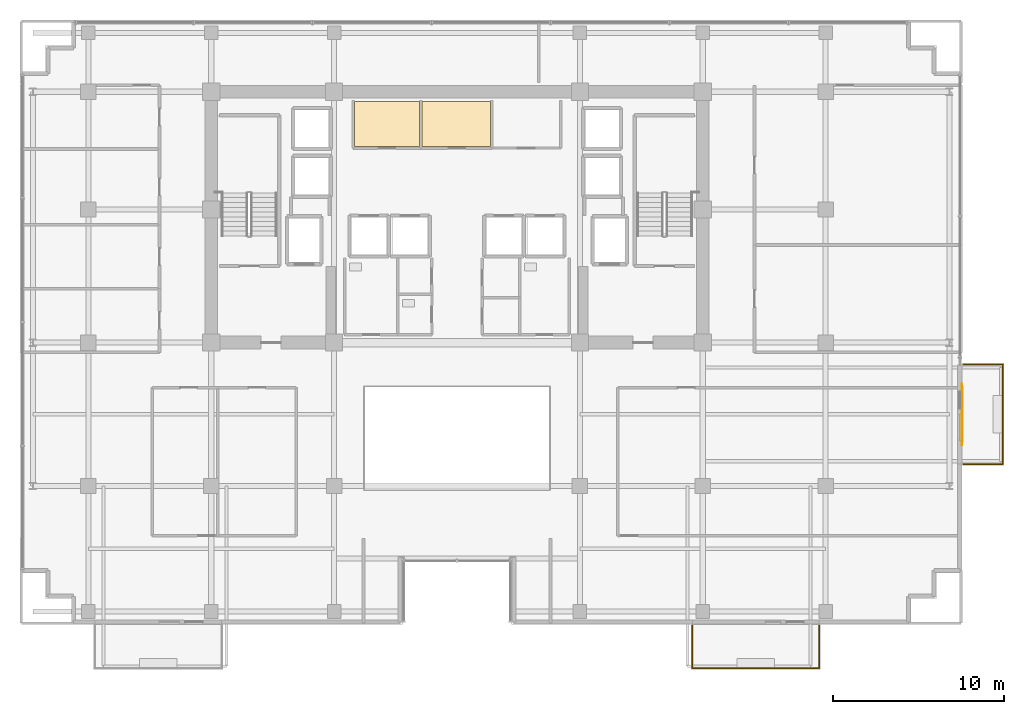
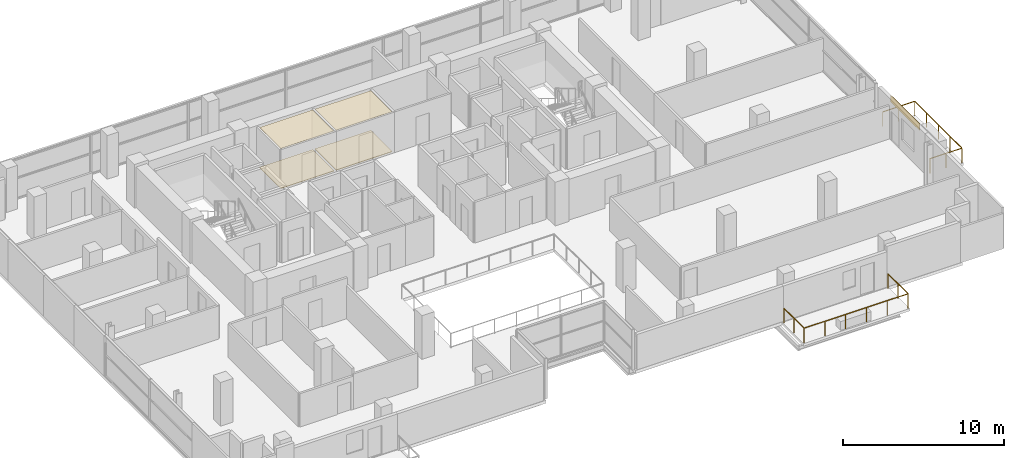
# One storey, part 22 of 24: 5 coverings, 2 railings, 1 shading device.
"""IFC4 building model written with IfcOpenShell, lengths in metres."""

from ifc_helpers import new_model, si_unit, direction, frame, origin, origin_2d, place, context, subcontext, project, spatial, polyline, rectangle, outline, extrude, source, transform, mapped, material, layer, layer_set, type_object, element, save


model = new_model("IFC4")

# Units and contexts
model_context = context("Model", 3, precision=1e-05, world=origin(), true_north=direction((0.0, 1.0)))
body_context = subcontext(model_context, "Body", "Model", "MODEL_VIEW")
ifc_project = project(units=[si_unit("LENGTHUNIT", "METRE"), si_unit("AREAUNIT", "SQUARE_METRE"), si_unit("VOLUMEUNIT", "CUBIC_METRE"), si_unit("PLANEANGLEUNIT", "RADIAN"), si_unit("MASSUNIT", "GRAM", prefix="KILO")], contexts=[model_context])

# Site, building, storey
site_placement = place(None, origin())
site = spatial("IfcSite", under=ifc_project, at=site_placement, CompositionType="ELEMENT")
building_placement = place(site_placement, origin())
building = spatial("IfcBuilding", under=site, at=building_placement, Name="Zarnakvel Exchange Tower", CompositionType="ELEMENT")
storey_placement = place(building_placement, frame((0.0, 0.0, 119.800048828125)))
storey = spatial("IfcBuildingStorey", under=building, at=storey_placement, Name="L33", CompositionType="ELEMENT", Elevation=119.800048828125)

# Coverings
ifc_material_1 = material(Name="Perforated Bronze Acoustic Metal Ceiling", Category="aluminium")
ifc_layer_1 = layer(ifc_material_1, 0.02001953125)
ifc_layer_set_1 = layer_set([ifc_layer_1], Name="Perforated Bronze Acoustic Metal Ceiling")
covering_type_1 = type_object("IfcCoveringType", Name="CLG-01", PredefinedType="CEILING", material=ifc_layer_set_1)
covering_1_placement = place(storey_placement, frame((0.0, 0.0, 3.014892578125)))
element("IfcCovering", 1, at=covering_1_placement, inside=storey, type_object=covering_type_1, Name="L33 Suspended Acoustic Ceiling (Clearing Records Office)", PredefinedType="CEILING", context=body_context, shape_type="SweptSolid", body=[
    extrude(outline(polyline([(-6.0, 12.919921875), (-2.199951171875, 12.919921875), (-2.199951171875, 10.280029296875), (-6.0, 10.280029296875), (-6.0, 12.919921875)])), origin(), (0.0, 0.0, 1.0), 0.02001953125),
])
covering_2_placement = place(storey_placement, frame((0.0, 0.0, 3.014892578125)))
element("IfcCovering", 2, at=covering_2_placement, inside=storey, type_object=covering_type_1, Name="L33 Suspended Acoustic Ceiling (Brokerage Filing Room)", PredefinedType="CEILING", context=body_context, shape_type="SweptSolid", body=[
    extrude(outline(polyline([(-2.0400390625, 12.919921875), (1.9599609375, 12.919921875), (1.9599609375, 10.280029296875), (-2.0400390625, 10.280029296875), (-2.0400390625, 12.919921875)])), origin(), (0.0, 0.0, 1.0), 0.02001953125),
])
ifc_material_2 = material(Name="Heavy-Duty Raised Access Floor Panel", Category="steel")
ifc_layer_2 = layer(ifc_material_2, 0.034912109375)
ifc_layer_set_2 = layer_set([ifc_layer_2], Name="Heavy-Duty Raised Access Floor Panel")
covering_type_2 = type_object("IfcCoveringType", Name="FLR-02", PredefinedType="FLOORING", material=ifc_layer_set_2)
covering_3_placement = place(storey_placement, origin())
element("IfcCovering", 3, at=covering_3_placement, inside=storey, type_object=covering_type_2, Name="L33 Floor Finish (Clearing Records Office)", PredefinedType="FLOORING", context=body_context, shape_type="SweptSolid", body=[
    extrude(outline(polyline([(-6.0, 12.919921875), (-2.199951171875, 12.919921875), (-2.199951171875, 10.280029296875), (-6.0, 10.280029296875), (-6.0, 12.919921875)])), origin(), (0.0, 0.0, 1.0), 0.034912109375),
])
covering_4_placement = place(storey_placement, origin())
element("IfcCovering", 4, at=covering_4_placement, inside=storey, type_object=covering_type_2, Name="L33 Floor Finish (Brokerage Filing Room)", PredefinedType="FLOORING", context=body_context, shape_type="SweptSolid", body=[
    extrude(outline(polyline([(-2.0400390625, 12.919921875), (1.9599609375, 12.919921875), (1.9599609375, 10.280029296875), (-2.0400390625, 10.280029296875), (-2.0400390625, 12.919921875)])), origin(), (0.0, 0.0, 1.0), 0.034912109375),
])

# Railings
ifc_material_3 = material(Name="Architectural Bronze Anodised Aluminium", Category="aluminium")
railing_type = type_object("IfcRailingType", Name="GR-02", PredefinedType="GUARDRAIL", material=ifc_material_3)
railing_1_placement = place(storey_placement, frame((13.780029296875, -17.780029296875, -0.03515625)))
element("IfcRailing", 5, at=railing_1_placement, inside=storey, type_object=railing_type, Name="L33 Balcony Guardrail BAL-L33-SE", PredefinedType="GUARDRAIL", context=body_context, shape_type="SweptSolid", body=[
    extrude(rectangle(XDim=0.048095703125, YDim=0.048095703125, at=origin_2d()), frame((0.0, 0.0, 1.09619140625), z_axis=(0.0, -1.0, 0.0), x_axis=(1.0, 0.0, 0.0)), (0.0, 0.0, 1.0), 2.489990234375),
    extrude(rectangle(XDim=0.048095703125, YDim=0.048095703125, at=origin_2d()), frame((0.0, -2.489990234375, 1.09619140625), z_axis=(1.0, 0.0, 0.0), x_axis=(0.0, 1.0, 0.0)), (0.0, 0.0, 1.0), 7.43994140625),
    extrude(rectangle(XDim=0.048095703125, YDim=0.048095703125, at=origin_2d()), frame((7.43994140625, -2.489990234375, 1.09619140625), z_axis=(0.0, 1.0, 0.0), x_axis=(-1.0, 0.0, 0.0)), (0.0, 0.0, 1.0), 2.489990234375),
    extrude(rectangle(XDim=0.0419921875, YDim=0.0419921875, at=origin_2d()), origin(), (0.0, 0.0, 1.0), 1.072021484375),
    extrude(rectangle(XDim=0.0419921875, YDim=0.0419921875, at=origin_2d()), frame((0.0, -1.2451171875, 0.0)), (0.0, 0.0, 1.0), 1.072021484375),
    extrude(rectangle(XDim=0.0419921875, YDim=0.0419921875, at=origin_2d()), frame((0.0, -2.489990234375, 0.0)), (0.0, 0.0, 1.0), 1.072021484375),
    extrude(rectangle(XDim=0.0419921875, YDim=0.0419921875, at=origin_2d()), frame((1.488037109375, -2.489990234375, 0.0)), (0.0, 0.0, 1.0), 1.072021484375),
    extrude(rectangle(XDim=0.0419921875, YDim=0.0419921875, at=origin_2d()), frame((2.97607421875, -2.489990234375, 0.0)), (0.0, 0.0, 1.0), 1.072021484375),
    extrude(rectangle(XDim=0.0419921875, YDim=0.0419921875, at=origin_2d()), frame((4.4638671875, -2.489990234375, 0.0)), (0.0, 0.0, 1.0), 1.072021484375),
    extrude(rectangle(XDim=0.0419921875, YDim=0.0419921875, at=origin_2d()), frame((5.951904296875, -2.489990234375, 0.0)), (0.0, 0.0, 1.0), 1.072021484375),
    extrude(rectangle(XDim=0.0419921875, YDim=0.0419921875, at=origin_2d()), frame((7.43994140625, -2.489990234375, 0.0)), (0.0, 0.0, 1.0), 1.072021484375),
    extrude(rectangle(XDim=0.0419921875, YDim=0.0419921875, at=origin_2d()), frame((7.43994140625, -1.2451171875, 0.0)), (0.0, 0.0, 1.0), 1.072021484375),
    extrude(rectangle(XDim=0.0419921875, YDim=0.0419921875, at=origin_2d()), frame((7.43994140625, 0.0, 0.0)), (0.0, 0.0, 1.0), 1.072021484375),
])
railing_2_placement = place(storey_placement, frame((29.679931640625, -8.320068359375, -0.03515625)))
element("IfcRailing", 6, at=railing_2_placement, inside=storey, type_object=railing_type, Name="L33 Balcony Guardrail BAL-L33-E", PredefinedType="GUARDRAIL", context=body_context, shape_type="SweptSolid", body=[
    extrude(rectangle(XDim=0.048095703125, YDim=0.048095703125, at=origin_2d()), frame((0.0, 0.0, 1.09619140625), z_axis=(1.0, 0.0, 0.0), x_axis=(0.0, 1.0, 0.0)), (0.0, 0.0, 1.0), 2.2900390625),
    extrude(rectangle(XDim=0.048095703125, YDim=0.048095703125, at=origin_2d()), frame((2.2900390625, 0.0, 1.09619140625), z_axis=(0.0, 1.0, 0.0), x_axis=(-1.0, 0.0, 0.0)), (0.0, 0.0, 1.0), 5.840087890625),
    extrude(rectangle(XDim=0.048095703125, YDim=0.048095703125, at=origin_2d()), frame((2.2900390625, 5.840087890625, 1.09619140625), z_axis=(-1.0, 0.0, 0.0), x_axis=(0.0, -1.0, 0.0)), (0.0, 0.0, 1.0), 2.2900390625),
    extrude(rectangle(XDim=0.0419921875, YDim=0.0419921875, at=origin_2d()), origin(), (0.0, 0.0, 1.0), 1.072021484375),
    extrude(rectangle(XDim=0.0419921875, YDim=0.0419921875, at=origin_2d()), frame((1.14501953125, 0.0, 0.0)), (0.0, 0.0, 1.0), 1.072021484375),
    extrude(rectangle(XDim=0.0419921875, YDim=0.0419921875, at=origin_2d()), frame((2.2900390625, 0.0, 0.0)), (0.0, 0.0, 1.0), 1.072021484375),
    extrude(rectangle(XDim=0.0419921875, YDim=0.0419921875, at=origin_2d()), frame((2.2900390625, 1.4599609375, 0.0)), (0.0, 0.0, 1.0), 1.072021484375),
    extrude(rectangle(XDim=0.0419921875, YDim=0.0419921875, at=origin_2d()), frame((2.2900390625, 2.919921875, 0.0)), (0.0, 0.0, 1.0), 1.072021484375),
    extrude(rectangle(XDim=0.0419921875, YDim=0.0419921875, at=origin_2d()), frame((2.2900390625, 4.380126953125, 0.0)), (0.0, 0.0, 1.0), 1.072021484375),
    extrude(rectangle(XDim=0.0419921875, YDim=0.0419921875, at=origin_2d()), frame((2.2900390625, 5.840087890625, 0.0)), (0.0, 0.0, 1.0), 1.072021484375),
    extrude(rectangle(XDim=0.0419921875, YDim=0.0419921875, at=origin_2d()), frame((1.14501953125, 5.840087890625, 0.0)), (0.0, 0.0, 1.0), 1.072021484375),
    extrude(rectangle(XDim=0.0419921875, YDim=0.0419921875, at=origin_2d()), frame((0.0, 5.840087890625, 0.0)), (0.0, 0.0, 1.0), 1.072021484375),
])

# Shading device
ifc_material_4 = material(Name="Perforated Architectural Bronze Screen", Category="aluminium")
ifc_layer_3 = layer(ifc_material_4, 0.044921875)
ifc_layer_set_3 = layer_set([ifc_layer_3], Name="Perforated Architectural Bronze Screen")
shading_device_type = type_object("IfcShadingDeviceType", Name="SS-01", PredefinedType="JALOUSIE", material=ifc_layer_set_3)
shared_shape_1 = source(origin(), body_context, "Body", "SweptSolid", [
    extrude(rectangle(XDim=3.199951171875, YDim=0.044921875, at=origin_2d()), origin(), (0.0, 0.0, 1.0), 0.4951171875),
])
shading_device_placement = place(storey_placement, frame((29.6005859375, -5.39990234375, 2.559814453125), z_axis=(0.0, 0.0, 1.0), x_axis=(0.0, -1.0, 0.0)))
element("IfcShadingDevice", 7, at=shading_device_placement, inside=storey, type_object=shading_device_type, Name="L33 Bronze Solar Shading Screen SS-01", PredefinedType="JALOUSIE", context=body_context, shape_type="MappedRepresentation", body=[
    mapped(shared_shape_1, transform((0.0, 0.0, 0.0), x_axis=(1.0, 0.0, 0.0), y_axis=(0.0, 1.0, 0.0), z_axis=(0.0, 0.0, 1.0), scale=1.0)),
])

# Covering
ifc_material_5 = material(Name="Glazed Turquoise Ceramic Architectural Tile", Category="ceramic")
ifc_layer_4 = layer(ifc_material_5, 0.028076171875)
ifc_layer_set_4 = layer_set([ifc_layer_4], Name="Glazed Turquoise Ceramic Architectural Tile")
covering_type_3 = type_object("IfcCoveringType", Name="CL-01", PredefinedType="CLADDING", material=ifc_layer_set_4)
shared_shape_2 = source(origin(), body_context, "Body", "SweptSolid", [
    extrude(rectangle(XDim=3.60009765625, YDim=0.028076171875, at=origin_2d()), origin(), (0.0, 0.0, 1.0), 0.4951171875),
])
covering_5_placement = place(storey_placement, frame((29.592041015625, -5.39990234375, 2.559814453125), z_axis=(0.0, 0.0, 1.0), x_axis=(0.0, -1.0, 0.0)))
element("IfcCovering", 8, at=covering_5_placement, inside=storey, type_object=covering_type_3, Name="L33 Ceramic Spandrel Tilework CL-01", PredefinedType="CLADDING", context=body_context, shape_type="MappedRepresentation", body=[
    mapped(shared_shape_2, transform((0.0, 0.0, 0.0), x_axis=(1.0, 0.0, 0.0), y_axis=(0.0, 1.0, 0.0), z_axis=(0.0, 0.0, 1.0), scale=1.0)),
])

save(model, "model.ifc")
